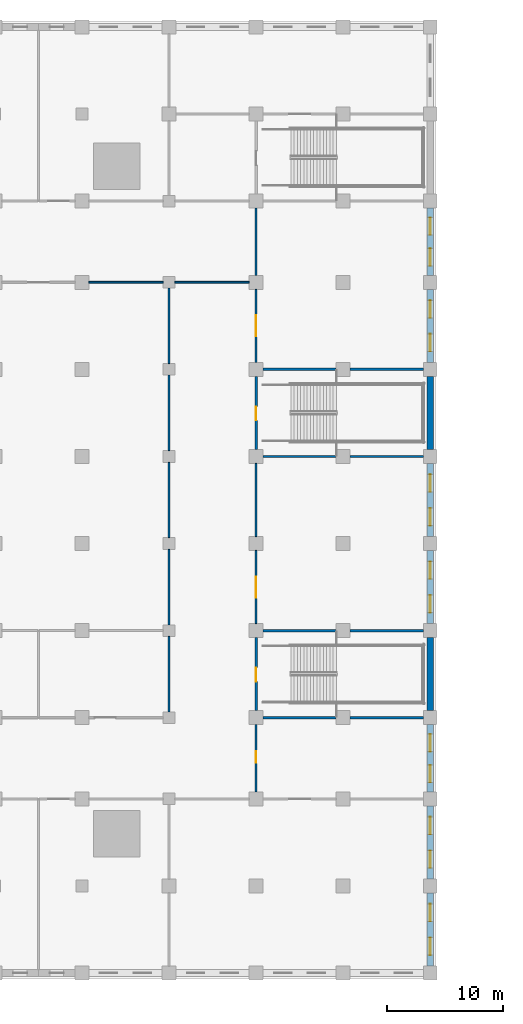
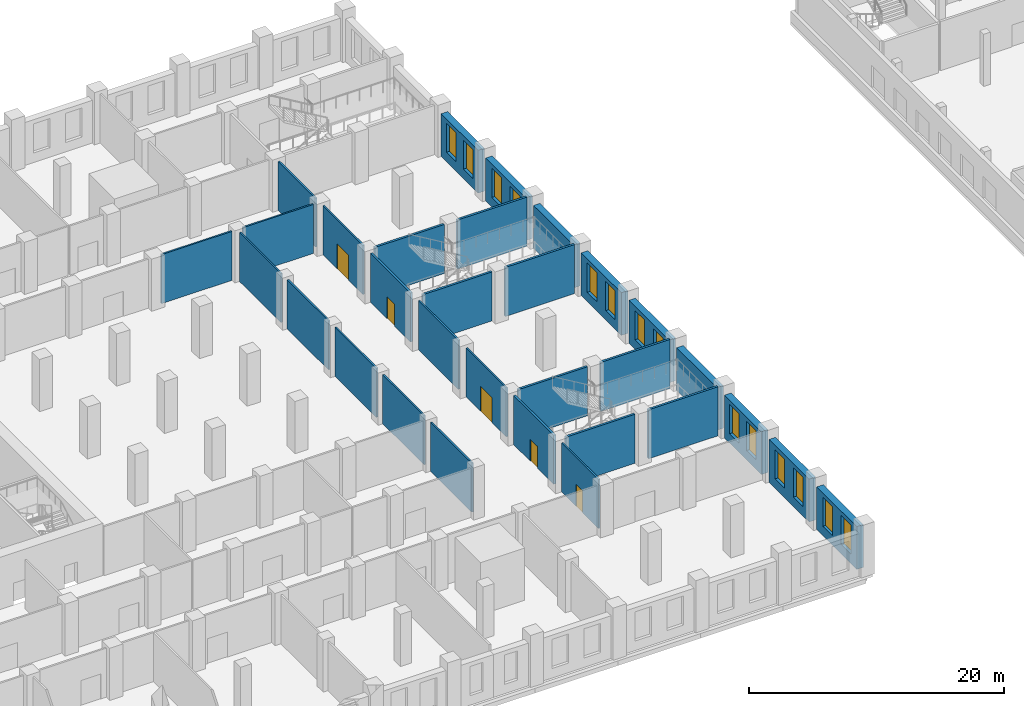
# One storey, part 8 of 32: 31 walls, 14 windows, 5 doors, 19 openings.
"""IFC4 building model written with IfcOpenShell, lengths in metres."""

from ifc_helpers import new_model, si_unit, direction, frame, frame_2d, origin, place, context, subcontext, project, spatial, rectangle, extrude, material, layer, layer_set, type_object, element, fill, save


model = new_model("IFC4")

# Units and contexts
model_context = context("Model", 3, precision=1e-05, world=origin(), true_north=direction((0.0, 1.0)))
body_context = subcontext(model_context, "Body", "Model", "MODEL_VIEW")
ifc_project = project(units=[si_unit("LENGTHUNIT", "METRE"), si_unit("AREAUNIT", "SQUARE_METRE"), si_unit("VOLUMEUNIT", "CUBIC_METRE"), si_unit("PLANEANGLEUNIT", "RADIAN"), si_unit("MASSUNIT", "GRAM", prefix="KILO")], contexts=[model_context])

# Site, building, storey
site_placement = place(None, origin())
site = spatial("IfcSite", under=ifc_project, at=site_placement, CompositionType="ELEMENT")
building_placement = place(site_placement, origin())
building = spatial("IfcBuilding", under=site, at=building_placement, Name="Tamorin Gate", CompositionType="ELEMENT")
storey_placement = place(building_placement, frame((0.0, 0.0, 18.5)))
storey = spatial("IfcBuildingStorey", under=building, at=storey_placement, Name="L03", CompositionType="ELEMENT", Elevation=18.5)

# Walls
ifc_material_1 = material(Name="Concrete masonry C20/25", Category="masonry")
ifc_layer_1 = layer(ifc_material_1, 0.14990234375)
ifc_layer_set_1 = layer_set([ifc_layer_1], Name="Partition 150")
wall_type_1 = type_object("IfcWallType", Name="Partition 150", PredefinedType="PARTITIONING", material=ifc_layer_set_1)
for number, where, z_axis, x_axis, name in (
    (1, (82.60009765625, 90.0, 0.0), (0.0, 0.0, 1.0), (1.0, 0.0, 0.0), "Partition 150 L03"),
    (2, (90.0, 90.0, 0.0), (0.0, 0.0, 1.0), (1.0, 0.0, 0.0), "Partition 150 L03"),
):
    element("IfcWall", number, at=place(storey_placement, frame(where, z_axis=z_axis, x_axis=x_axis)), inside=storey, type_object=wall_type_1, Name=name, PredefinedType="PARTITIONING", context=body_context, shape_type="SweptSolid", body=[
        extrude(rectangle(XDim=6.39990234375, YDim=0.14990234375, at=frame_2d((3.199951171875, 0.0))), origin(), (0.0, 0.0, 1.0), 4.699951171875),
    ])

# Wall, opening, door
wall_1_placement = place(storey_placement, frame((97.0, 46.10009765625, 0.0), z_axis=(0.0, 0.0, 1.0), x_axis=(0.0, 1.0, 0.0)))
wall_1 = element("IfcWall", 3, at=wall_1_placement, inside=storey, type_object=wall_type_1, Name="Partition 150 L03", PredefinedType="PARTITIONING", context=body_context, shape_type="SweptSolid", body=[
    extrude(rectangle(XDim=5.7998046875, YDim=0.14990234375, at=frame_2d((2.89990234375, 0.0))), origin(), (0.0, 0.0, 1.0), 4.699951171875),
])
opening_1_placement = place(wall_1_placement, frame((2.5, 0.0, 0.0)))
opening_1 = element("IfcOpeningElement", 4, at=opening_1_placement, cuts=wall_1, Name="Opening DP2", PredefinedType="OPENING", context=body_context, shape_type="SweptSolid", body=[
    extrude(rectangle(XDim=1.0, YDim=2.10009765625, at=frame_2d((0.5, 1.050048828125))), frame((0.0, 0.0849609375, 0.0), z_axis=(0.0, -1.0, 0.0), x_axis=(1.0, 0.0, 0.0)), (0.0, 0.0, 1.0), 0.169921875),
])
ifc_material_2 = material(Name="Painted steel", Category="steel")
door_type_1 = type_object("IfcDoorType", Name="Door single 1000", OperationType="SINGLE_SWING_LEFT", PredefinedType="DOOR", material=ifc_material_2)
door_1_placement = place(opening_1_placement, origin())
door_1 = element("IfcDoor", 5, at=door_1_placement, inside=storey, type_object=door_type_1, Name="Door single 1000 L03", OperationType="SINGLE_SWING_LEFT", OverallHeight=2.10009765625, OverallWidth=1.0, PredefinedType="DOOR", context=body_context, shape_type="SweptSolid", body=[
    extrude(rectangle(XDim=1.0, YDim=2.10009765625, at=frame_2d((0.5, 1.050048828125))), frame((0.0, 0.02490234375, 0.0), z_axis=(0.0, -1.0, 0.0), x_axis=(1.0, 0.0, 0.0)), (0.0, 0.0, 1.0), 0.050048828125),
])
fill(opening_1, door_1)

wall_2_placement = place(storey_placement, frame((97.0, 60.60009765625, 0.0), z_axis=(0.0, 0.0, 1.0), x_axis=(0.0, 1.0, 0.0)))
wall_2 = element("IfcWall", 6, at=wall_2_placement, inside=storey, type_object=wall_type_1, Name="Partition 150 L03", PredefinedType="PARTITIONING", context=body_context, shape_type="SweptSolid", body=[
    extrude(rectangle(XDim=6.2998046875, YDim=0.14990234375, at=frame_2d((3.14990234375, 0.0))), origin(), (0.0, 0.0, 1.0), 4.699951171875),
])
opening_2_placement = place(wall_2_placement, frame((2.25, 0.0, 0.0)))
opening_2 = element("IfcOpeningElement", 7, at=opening_2_placement, cuts=wall_2, Name="Opening DP3", PredefinedType="OPENING", context=body_context, shape_type="SweptSolid", body=[
    extrude(rectangle(XDim=1.800048828125, YDim=2.39990234375, at=frame_2d((0.89990234375, 1.199951171875))), frame((0.0, 0.0849609375, 0.0), z_axis=(0.0, -1.0, 0.0), x_axis=(1.0, 0.0, 0.0)), (0.0, 0.0, 1.0), 0.169921875),
])
ifc_material_3 = material(Name="Steel and glass", Category="steel")
door_type_2 = type_object("IfcDoorType", Name="Door pair 1800", OperationType="DOUBLE_DOOR_SINGLE_SWING", PredefinedType="DOOR", material=ifc_material_3)
door_2_placement = place(opening_2_placement, origin())
door_2 = element("IfcDoor", 8, at=door_2_placement, inside=storey, type_object=door_type_2, Name="Door pair 1800 L03", OperationType="SINGLE_SWING_LEFT", OverallHeight=2.39990234375, OverallWidth=1.800048828125, PredefinedType="DOOR", context=body_context, shape_type="SweptSolid", body=[
    extrude(rectangle(XDim=1.800048828125, YDim=2.39990234375, at=frame_2d((0.89990234375, 1.199951171875))), frame((0.0, 0.02490234375, 0.0), z_axis=(0.0, -1.0, 0.0), x_axis=(1.0, 0.0, 0.0)), (0.0, 0.0, 1.0), 0.050048828125),
])
fill(opening_2, door_2)

# Wall
wall_3_placement = place(storey_placement, frame((97.0, 68.10009765625, 0.0), z_axis=(0.0, 0.0, 1.0), x_axis=(0.0, 1.0, 0.0)))
element("IfcWall", 9, at=wall_3_placement, inside=storey, type_object=wall_type_1, Name="Partition 150 L03", PredefinedType="PARTITIONING", context=body_context, shape_type="SweptSolid", body=[
    extrude(rectangle(XDim=6.2998046875, YDim=0.14990234375, at=frame_2d((3.14990234375, 0.0))), origin(), (0.0, 0.0, 1.0), 4.699951171875),
])

# Wall, opening, door
wall_4_placement = place(storey_placement, frame((97.0, 83.10009765625, 0.0), z_axis=(0.0, 0.0, 1.0), x_axis=(0.0, 1.0, 0.0)))
wall_4 = element("IfcWall", 10, at=wall_4_placement, inside=storey, type_object=wall_type_1, Name="Partition 150 L03", PredefinedType="PARTITIONING", context=body_context, shape_type="SweptSolid", body=[
    extrude(rectangle(XDim=6.2998046875, YDim=0.14990234375, at=frame_2d((3.14990234375, 0.0))), origin(), (0.0, 0.0, 1.0), 4.699951171875),
])
opening_3_placement = place(wall_4_placement, frame((2.25, 0.0, 0.0)))
opening_3 = element("IfcOpeningElement", 11, at=opening_3_placement, cuts=wall_4, Name="Opening DP3", PredefinedType="OPENING", context=body_context, shape_type="SweptSolid", body=[
    extrude(rectangle(XDim=1.800048828125, YDim=2.39990234375, at=frame_2d((0.89990234375, 1.199951171875))), frame((0.0, 0.0849609375, 0.0), z_axis=(0.0, -1.0, 0.0), x_axis=(1.0, 0.0, 0.0)), (0.0, 0.0, 1.0), 0.169921875),
])
door_3_placement = place(opening_3_placement, origin())
door_3 = element("IfcDoor", 12, at=door_3_placement, inside=storey, type_object=door_type_2, Name="Door pair 1800 L03", OperationType="SINGLE_SWING_LEFT", OverallHeight=2.39990234375, OverallWidth=1.800048828125, PredefinedType="DOOR", context=body_context, shape_type="SweptSolid", body=[
    extrude(rectangle(XDim=1.800048828125, YDim=2.39990234375, at=frame_2d((0.89990234375, 1.199951171875))), frame((0.0, 0.02490234375, 0.0), z_axis=(0.0, -1.0, 0.0), x_axis=(1.0, 0.0, 0.0)), (0.0, 0.0, 1.0), 0.050048828125),
])
fill(opening_3, door_3)

# Walls
wall_5_placement = place(storey_placement, frame((97.0, 90.60009765625, 0.0), z_axis=(0.0, 0.0, 1.0), x_axis=(0.0, 1.0, 0.0)))
element("IfcWall", 13, at=wall_5_placement, inside=storey, type_object=wall_type_1, Name="Partition 150 L03", PredefinedType="PARTITIONING", context=body_context, shape_type="SweptSolid", body=[
    extrude(rectangle(XDim=5.7998046875, YDim=0.14990234375, at=frame_2d((2.89990234375, 0.0))), origin(), (0.0, 0.0, 1.0), 4.699951171875),
])
for number, where, z_axis, x_axis, name in (
    (14, (89.5, 53.0, 0.0), (0.0, 0.0, 1.0), (0.0, 1.0, 0.0), "Partition 150 L03"),
    (15, (89.5, 60.5, 0.0), (0.0, 0.0, 1.0), (0.0, 1.0, 0.0), "Partition 150 L03"),
    (16, (89.5, 68.0, 0.0), (0.0, 0.0, 1.0), (0.0, 1.0, 0.0), "Partition 150 L03"),
    (17, (89.5, 75.5, 0.0), (0.0, 0.0, 1.0), (0.0, 1.0, 0.0), "Partition 150 L03"),
    (18, (89.5, 83.0, 0.0), (0.0, 0.0, 1.0), (0.0, 1.0, 0.0), "Partition 150 L03"),
):
    element("IfcWall", number, at=place(storey_placement, frame(where, z_axis=z_axis, x_axis=x_axis)), inside=storey, type_object=wall_type_1, Name=name, PredefinedType="PARTITIONING", context=body_context, shape_type="SweptSolid", body=[
        extrude(rectangle(XDim=6.5, YDim=0.14990234375, at=frame_2d((3.25, 0.0))), origin(), (0.0, 0.0, 1.0), 4.699951171875),
    ])

# Wall, openings, windows
ifc_material_4 = material(Name="Precast concrete C40/50", Category="concrete")
ifc_layer_2 = layer(ifc_material_4, 0.60009765625)
ifc_layer_set_2 = layer_set([ifc_layer_2], Name="Precast concrete C40/50")
wall_type_2 = type_object("IfcWallType", Name="Precast plinth wall 600", PredefinedType="PARTITIONING", material=ifc_layer_set_2)
wall_6_placement = place(storey_placement, frame((112.0, 31.10009765625, 0.0), z_axis=(0.0, 0.0, 1.0), x_axis=(0.0, 1.0, 0.0)))
wall_6 = element("IfcWall", 19, at=wall_6_placement, inside=storey, type_object=wall_type_2, Name="Precast plinth wall 600 L03", PredefinedType="PARTITIONING", context=body_context, shape_type="SweptSolid", body=[
    extrude(rectangle(XDim=6.2998046875, YDim=0.60009765625, at=frame_2d((3.14990234375, 0.0))), origin(), (0.0, 0.0, 1.0), 4.10009765625),
])
opening_4_placement = place(wall_6_placement, frame((0.950927734375, 0.0, 0.89990234375)))
opening_4 = element("IfcOpeningElement", 20, at=opening_4_placement, cuts=wall_6, Name="Opening PWN5", PredefinedType="OPENING", context=body_context, shape_type="SweptSolid", body=[
    extrude(rectangle(XDim=1.5, YDim=2.800048828125, at=frame_2d((0.75, 1.39990234375))), frame((0.0, 0.31005859375, 0.0), z_axis=(0.0, -1.0, 0.0), x_axis=(1.0, 0.0, 0.0)), (0.0, 0.0, 1.0), 0.6201171875),
])
opening_5_placement = place(wall_6_placement, frame((3.84912109375, 0.0, 0.89990234375)))
opening_5 = element("IfcOpeningElement", 21, at=opening_5_placement, cuts=wall_6, Name="Opening PWN5", PredefinedType="OPENING", context=body_context, shape_type="SweptSolid", body=[
    extrude(rectangle(XDim=1.5, YDim=2.800048828125, at=frame_2d((0.75, 1.39990234375))), frame((0.0, 0.31005859375, 0.0), z_axis=(0.0, -1.0, 0.0), x_axis=(1.0, 0.0, 0.0)), (0.0, 0.0, 1.0), 0.6201171875),
])
ifc_material_5 = material(Name="Aluminium and glass", Category="aluminium")
window_type = type_object("IfcWindowType", Name="Plinth window 1500x2800", PartitioningType="DOUBLE_PANEL_VERTICAL", PredefinedType="WINDOW", material=ifc_material_5)
window_1_placement = place(opening_4_placement, origin())
window_1 = element("IfcWindow", 22, at=window_1_placement, inside=storey, type_object=window_type, Name="Plinth window 1500x2800", OverallHeight=2.800048828125, OverallWidth=1.5, PartitioningType="SINGLE_PANEL", PredefinedType="WINDOW", context=body_context, shape_type="SweptSolid", body=[
    extrude(rectangle(XDim=1.5, YDim=2.800048828125, at=frame_2d((0.75, 1.39990234375))), frame((0.0, 0.030029296875, 0.0), z_axis=(0.0, -1.0, 0.0), x_axis=(1.0, 0.0, 0.0)), (0.0, 0.0, 1.0), 0.06005859375),
])
fill(opening_4, window_1)
window_2_placement = place(opening_5_placement, origin())
window_2 = element("IfcWindow", 23, at=window_2_placement, inside=storey, type_object=window_type, Name="Plinth window 1500x2800", OverallHeight=2.800048828125, OverallWidth=1.5, PartitioningType="SINGLE_PANEL", PredefinedType="WINDOW", context=body_context, shape_type="SweptSolid", body=[
    extrude(rectangle(XDim=1.5, YDim=2.800048828125, at=frame_2d((0.75, 1.39990234375))), frame((0.0, 0.030029296875, 0.0), z_axis=(0.0, -1.0, 0.0), x_axis=(1.0, 0.0, 0.0)), (0.0, 0.0, 1.0), 0.06005859375),
])
fill(opening_5, window_2)

wall_7_placement = place(storey_placement, frame((112.0, 38.60009765625, 0.0), z_axis=(0.0, 0.0, 1.0), x_axis=(0.0, 1.0, 0.0)))
wall_7 = element("IfcWall", 24, at=wall_7_placement, inside=storey, type_object=wall_type_2, Name="Precast plinth wall 600 L03", PredefinedType="PARTITIONING", context=body_context, shape_type="SweptSolid", body=[
    extrude(rectangle(XDim=6.2998046875, YDim=0.60009765625, at=frame_2d((3.14990234375, 0.0))), origin(), (0.0, 0.0, 1.0), 4.10009765625),
])
opening_6_placement = place(wall_7_placement, frame((0.950927734375, 0.0, 0.89990234375)))
opening_6 = element("IfcOpeningElement", 25, at=opening_6_placement, cuts=wall_7, Name="Opening PWN5", PredefinedType="OPENING", context=body_context, shape_type="SweptSolid", body=[
    extrude(rectangle(XDim=1.5, YDim=2.800048828125, at=frame_2d((0.75, 1.39990234375))), frame((0.0, 0.31005859375, 0.0), z_axis=(0.0, -1.0, 0.0), x_axis=(1.0, 0.0, 0.0)), (0.0, 0.0, 1.0), 0.6201171875),
])
opening_7_placement = place(wall_7_placement, frame((3.84912109375, 0.0, 0.89990234375)))
opening_7 = element("IfcOpeningElement", 26, at=opening_7_placement, cuts=wall_7, Name="Opening PWN5", PredefinedType="OPENING", context=body_context, shape_type="SweptSolid", body=[
    extrude(rectangle(XDim=1.5, YDim=2.800048828125, at=frame_2d((0.75, 1.39990234375))), frame((0.0, 0.31005859375, 0.0), z_axis=(0.0, -1.0, 0.0), x_axis=(1.0, 0.0, 0.0)), (0.0, 0.0, 1.0), 0.6201171875),
])
window_3_placement = place(opening_6_placement, origin())
window_3 = element("IfcWindow", 27, at=window_3_placement, inside=storey, type_object=window_type, Name="Plinth window 1500x2800", OverallHeight=2.800048828125, OverallWidth=1.5, PartitioningType="SINGLE_PANEL", PredefinedType="WINDOW", context=body_context, shape_type="SweptSolid", body=[
    extrude(rectangle(XDim=1.5, YDim=2.800048828125, at=frame_2d((0.75, 1.39990234375))), frame((0.0, 0.030029296875, 0.0), z_axis=(0.0, -1.0, 0.0), x_axis=(1.0, 0.0, 0.0)), (0.0, 0.0, 1.0), 0.06005859375),
])
fill(opening_6, window_3)
window_4_placement = place(opening_7_placement, origin())
window_4 = element("IfcWindow", 28, at=window_4_placement, inside=storey, type_object=window_type, Name="Plinth window 1500x2800", OverallHeight=2.800048828125, OverallWidth=1.5, PartitioningType="SINGLE_PANEL", PredefinedType="WINDOW", context=body_context, shape_type="SweptSolid", body=[
    extrude(rectangle(XDim=1.5, YDim=2.800048828125, at=frame_2d((0.75, 1.39990234375))), frame((0.0, 0.030029296875, 0.0), z_axis=(0.0, -1.0, 0.0), x_axis=(1.0, 0.0, 0.0)), (0.0, 0.0, 1.0), 0.06005859375),
])
fill(opening_7, window_4)

wall_8_placement = place(storey_placement, frame((112.0, 46.10009765625, 0.0), z_axis=(0.0, 0.0, 1.0), x_axis=(0.0, 1.0, 0.0)))
wall_8 = element("IfcWall", 29, at=wall_8_placement, inside=storey, type_object=wall_type_2, Name="Precast plinth wall 600 L03", PredefinedType="PARTITIONING", context=body_context, shape_type="SweptSolid", body=[
    extrude(rectangle(XDim=5.7998046875, YDim=0.60009765625, at=frame_2d((2.89990234375, 0.0))), origin(), (0.0, 0.0, 1.0), 4.10009765625),
])
opening_8_placement = place(wall_8_placement, frame((0.81591796875, 0.0, 0.89990234375)))
opening_8 = element("IfcOpeningElement", 30, at=opening_8_placement, cuts=wall_8, Name="Opening PWN5", PredefinedType="OPENING", context=body_context, shape_type="SweptSolid", body=[
    extrude(rectangle(XDim=1.5, YDim=2.800048828125, at=frame_2d((0.75, 1.39990234375))), frame((0.0, 0.31005859375, 0.0), z_axis=(0.0, -1.0, 0.0), x_axis=(1.0, 0.0, 0.0)), (0.0, 0.0, 1.0), 0.6201171875),
])
opening_9_placement = place(wall_8_placement, frame((3.48388671875, 0.0, 0.89990234375)))
opening_9 = element("IfcOpeningElement", 31, at=opening_9_placement, cuts=wall_8, Name="Opening PWN5", PredefinedType="OPENING", context=body_context, shape_type="SweptSolid", body=[
    extrude(rectangle(XDim=1.5, YDim=2.800048828125, at=frame_2d((0.75, 1.39990234375))), frame((0.0, 0.31005859375, 0.0), z_axis=(0.0, -1.0, 0.0), x_axis=(1.0, 0.0, 0.0)), (0.0, 0.0, 1.0), 0.6201171875),
])
window_5_placement = place(opening_8_placement, origin())
window_5 = element("IfcWindow", 32, at=window_5_placement, inside=storey, type_object=window_type, Name="Plinth window 1500x2800", OverallHeight=2.800048828125, OverallWidth=1.5, PartitioningType="SINGLE_PANEL", PredefinedType="WINDOW", context=body_context, shape_type="SweptSolid", body=[
    extrude(rectangle(XDim=1.5, YDim=2.800048828125, at=frame_2d((0.75, 1.39990234375))), frame((0.0, 0.030029296875, 0.0), z_axis=(0.0, -1.0, 0.0), x_axis=(1.0, 0.0, 0.0)), (0.0, 0.0, 1.0), 0.06005859375),
])
fill(opening_8, window_5)
window_6_placement = place(opening_9_placement, origin())
window_6 = element("IfcWindow", 33, at=window_6_placement, inside=storey, type_object=window_type, Name="Plinth window 1500x2800", OverallHeight=2.800048828125, OverallWidth=1.5, PartitioningType="SINGLE_PANEL", PredefinedType="WINDOW", context=body_context, shape_type="SweptSolid", body=[
    extrude(rectangle(XDim=1.5, YDim=2.800048828125, at=frame_2d((0.75, 1.39990234375))), frame((0.0, 0.030029296875, 0.0), z_axis=(0.0, -1.0, 0.0), x_axis=(1.0, 0.0, 0.0)), (0.0, 0.0, 1.0), 0.06005859375),
])
fill(opening_9, window_6)

# Wall
wall_9_placement = place(storey_placement, frame((112.0, 53.10009765625, 0.0), z_axis=(0.0, 0.0, 1.0), x_axis=(0.0, 1.0, 0.0)))
element("IfcWall", 34, at=wall_9_placement, inside=storey, type_object=wall_type_2, Name="Precast plinth wall 600 L03", PredefinedType="PARTITIONING", context=body_context, shape_type="SweptSolid", body=[
    extrude(rectangle(XDim=6.2998046875, YDim=0.60009765625, at=frame_2d((3.14990234375, 0.0))), origin(), (0.0, 0.0, 1.0), 4.10009765625),
])

# Wall, openings, windows
wall_10_placement = place(storey_placement, frame((112.0, 60.60009765625, 0.0), z_axis=(0.0, 0.0, 1.0), x_axis=(0.0, 1.0, 0.0)))
wall_10 = element("IfcWall", 35, at=wall_10_placement, inside=storey, type_object=wall_type_2, Name="Precast plinth wall 600 L03", PredefinedType="PARTITIONING", context=body_context, shape_type="SweptSolid", body=[
    extrude(rectangle(XDim=6.2998046875, YDim=0.60009765625, at=frame_2d((3.14990234375, 0.0))), origin(), (0.0, 0.0, 1.0), 4.10009765625),
])
opening_10_placement = place(wall_10_placement, frame((0.950927734375, 0.0, 0.89990234375)))
opening_10 = element("IfcOpeningElement", 36, at=opening_10_placement, cuts=wall_10, Name="Opening PWN5", PredefinedType="OPENING", context=body_context, shape_type="SweptSolid", body=[
    extrude(rectangle(XDim=1.5, YDim=2.800048828125, at=frame_2d((0.75, 1.39990234375))), frame((0.0, 0.31005859375, 0.0), z_axis=(0.0, -1.0, 0.0), x_axis=(1.0, 0.0, 0.0)), (0.0, 0.0, 1.0), 0.6201171875),
])
opening_11_placement = place(wall_10_placement, frame((3.84912109375, 0.0, 0.89990234375)))
opening_11 = element("IfcOpeningElement", 37, at=opening_11_placement, cuts=wall_10, Name="Opening PWN5", PredefinedType="OPENING", context=body_context, shape_type="SweptSolid", body=[
    extrude(rectangle(XDim=1.5, YDim=2.800048828125, at=frame_2d((0.75, 1.39990234375))), frame((0.0, 0.31005859375, 0.0), z_axis=(0.0, -1.0, 0.0), x_axis=(1.0, 0.0, 0.0)), (0.0, 0.0, 1.0), 0.6201171875),
])
window_7_placement = place(opening_10_placement, origin())
window_7 = element("IfcWindow", 38, at=window_7_placement, inside=storey, type_object=window_type, Name="Plinth window 1500x2800", OverallHeight=2.800048828125, OverallWidth=1.5, PartitioningType="SINGLE_PANEL", PredefinedType="WINDOW", context=body_context, shape_type="SweptSolid", body=[
    extrude(rectangle(XDim=1.5, YDim=2.800048828125, at=frame_2d((0.75, 1.39990234375))), frame((0.0, 0.030029296875, 0.0), z_axis=(0.0, -1.0, 0.0), x_axis=(1.0, 0.0, 0.0)), (0.0, 0.0, 1.0), 0.06005859375),
])
fill(opening_10, window_7)
window_8_placement = place(opening_11_placement, origin())
window_8 = element("IfcWindow", 39, at=window_8_placement, inside=storey, type_object=window_type, Name="Plinth window 1500x2800", OverallHeight=2.800048828125, OverallWidth=1.5, PartitioningType="SINGLE_PANEL", PredefinedType="WINDOW", context=body_context, shape_type="SweptSolid", body=[
    extrude(rectangle(XDim=1.5, YDim=2.800048828125, at=frame_2d((0.75, 1.39990234375))), frame((0.0, 0.030029296875, 0.0), z_axis=(0.0, -1.0, 0.0), x_axis=(1.0, 0.0, 0.0)), (0.0, 0.0, 1.0), 0.06005859375),
])
fill(opening_11, window_8)

wall_11_placement = place(storey_placement, frame((112.0, 68.10009765625, 0.0), z_axis=(0.0, 0.0, 1.0), x_axis=(0.0, 1.0, 0.0)))
wall_11 = element("IfcWall", 40, at=wall_11_placement, inside=storey, type_object=wall_type_2, Name="Precast plinth wall 600 L03", PredefinedType="PARTITIONING", context=body_context, shape_type="SweptSolid", body=[
    extrude(rectangle(XDim=6.2998046875, YDim=0.60009765625, at=frame_2d((3.14990234375, 0.0))), origin(), (0.0, 0.0, 1.0), 4.10009765625),
])
opening_12_placement = place(wall_11_placement, frame((0.950927734375, 0.0, 0.89990234375)))
opening_12 = element("IfcOpeningElement", 41, at=opening_12_placement, cuts=wall_11, Name="Opening PWN5", PredefinedType="OPENING", context=body_context, shape_type="SweptSolid", body=[
    extrude(rectangle(XDim=1.5, YDim=2.800048828125, at=frame_2d((0.75, 1.39990234375))), frame((0.0, 0.31005859375, 0.0), z_axis=(0.0, -1.0, 0.0), x_axis=(1.0, 0.0, 0.0)), (0.0, 0.0, 1.0), 0.6201171875),
])
opening_13_placement = place(wall_11_placement, frame((3.84912109375, 0.0, 0.89990234375)))
opening_13 = element("IfcOpeningElement", 42, at=opening_13_placement, cuts=wall_11, Name="Opening PWN5", PredefinedType="OPENING", context=body_context, shape_type="SweptSolid", body=[
    extrude(rectangle(XDim=1.5, YDim=2.800048828125, at=frame_2d((0.75, 1.39990234375))), frame((0.0, 0.31005859375, 0.0), z_axis=(0.0, -1.0, 0.0), x_axis=(1.0, 0.0, 0.0)), (0.0, 0.0, 1.0), 0.6201171875),
])
window_9_placement = place(opening_12_placement, origin())
window_9 = element("IfcWindow", 43, at=window_9_placement, inside=storey, type_object=window_type, Name="Plinth window 1500x2800", OverallHeight=2.800048828125, OverallWidth=1.5, PartitioningType="SINGLE_PANEL", PredefinedType="WINDOW", context=body_context, shape_type="SweptSolid", body=[
    extrude(rectangle(XDim=1.5, YDim=2.800048828125, at=frame_2d((0.75, 1.39990234375))), frame((0.0, 0.030029296875, 0.0), z_axis=(0.0, -1.0, 0.0), x_axis=(1.0, 0.0, 0.0)), (0.0, 0.0, 1.0), 0.06005859375),
])
fill(opening_12, window_9)
window_10_placement = place(opening_13_placement, origin())
window_10 = element("IfcWindow", 44, at=window_10_placement, inside=storey, type_object=window_type, Name="Plinth window 1500x2800", OverallHeight=2.800048828125, OverallWidth=1.5, PartitioningType="SINGLE_PANEL", PredefinedType="WINDOW", context=body_context, shape_type="SweptSolid", body=[
    extrude(rectangle(XDim=1.5, YDim=2.800048828125, at=frame_2d((0.75, 1.39990234375))), frame((0.0, 0.030029296875, 0.0), z_axis=(0.0, -1.0, 0.0), x_axis=(1.0, 0.0, 0.0)), (0.0, 0.0, 1.0), 0.06005859375),
])
fill(opening_13, window_10)

# Wall
wall_12_placement = place(storey_placement, frame((112.0, 75.60009765625, 0.0), z_axis=(0.0, 0.0, 1.0), x_axis=(0.0, 1.0, 0.0)))
element("IfcWall", 45, at=wall_12_placement, inside=storey, type_object=wall_type_2, Name="Precast plinth wall 600 L03", PredefinedType="PARTITIONING", context=body_context, shape_type="SweptSolid", body=[
    extrude(rectangle(XDim=6.2998046875, YDim=0.60009765625, at=frame_2d((3.14990234375, 0.0))), origin(), (0.0, 0.0, 1.0), 4.10009765625),
])

# Wall, openings, windows
wall_13_placement = place(storey_placement, frame((112.0, 83.10009765625, 0.0), z_axis=(0.0, 0.0, 1.0), x_axis=(0.0, 1.0, 0.0)))
wall_13 = element("IfcWall", 46, at=wall_13_placement, inside=storey, type_object=wall_type_2, Name="Precast plinth wall 600 L03", PredefinedType="PARTITIONING", context=body_context, shape_type="SweptSolid", body=[
    extrude(rectangle(XDim=6.2998046875, YDim=0.60009765625, at=frame_2d((3.14990234375, 0.0))), origin(), (0.0, 0.0, 1.0), 4.10009765625),
])
opening_14_placement = place(wall_13_placement, frame((0.950927734375, 0.0, 0.89990234375)))
opening_14 = element("IfcOpeningElement", 47, at=opening_14_placement, cuts=wall_13, Name="Opening PWN5", PredefinedType="OPENING", context=body_context, shape_type="SweptSolid", body=[
    extrude(rectangle(XDim=1.5, YDim=2.800048828125, at=frame_2d((0.75, 1.39990234375))), frame((0.0, 0.31005859375, 0.0), z_axis=(0.0, -1.0, 0.0), x_axis=(1.0, 0.0, 0.0)), (0.0, 0.0, 1.0), 0.6201171875),
])
opening_15_placement = place(wall_13_placement, frame((3.84912109375, 0.0, 0.89990234375)))
opening_15 = element("IfcOpeningElement", 48, at=opening_15_placement, cuts=wall_13, Name="Opening PWN5", PredefinedType="OPENING", context=body_context, shape_type="SweptSolid", body=[
    extrude(rectangle(XDim=1.5, YDim=2.800048828125, at=frame_2d((0.75, 1.39990234375))), frame((0.0, 0.31005859375, 0.0), z_axis=(0.0, -1.0, 0.0), x_axis=(1.0, 0.0, 0.0)), (0.0, 0.0, 1.0), 0.6201171875),
])
window_11_placement = place(opening_14_placement, origin())
window_11 = element("IfcWindow", 49, at=window_11_placement, inside=storey, type_object=window_type, Name="Plinth window 1500x2800", OverallHeight=2.800048828125, OverallWidth=1.5, PartitioningType="SINGLE_PANEL", PredefinedType="WINDOW", context=body_context, shape_type="SweptSolid", body=[
    extrude(rectangle(XDim=1.5, YDim=2.800048828125, at=frame_2d((0.75, 1.39990234375))), frame((0.0, 0.030029296875, 0.0), z_axis=(0.0, -1.0, 0.0), x_axis=(1.0, 0.0, 0.0)), (0.0, 0.0, 1.0), 0.06005859375),
])
fill(opening_14, window_11)
window_12_placement = place(opening_15_placement, origin())
window_12 = element("IfcWindow", 50, at=window_12_placement, inside=storey, type_object=window_type, Name="Plinth window 1500x2800", OverallHeight=2.800048828125, OverallWidth=1.5, PartitioningType="SINGLE_PANEL", PredefinedType="WINDOW", context=body_context, shape_type="SweptSolid", body=[
    extrude(rectangle(XDim=1.5, YDim=2.800048828125, at=frame_2d((0.75, 1.39990234375))), frame((0.0, 0.030029296875, 0.0), z_axis=(0.0, -1.0, 0.0), x_axis=(1.0, 0.0, 0.0)), (0.0, 0.0, 1.0), 0.06005859375),
])
fill(opening_15, window_12)

wall_14_placement = place(storey_placement, frame((112.0, 90.60009765625, 0.0), z_axis=(0.0, 0.0, 1.0), x_axis=(0.0, 1.0, 0.0)))
wall_14 = element("IfcWall", 51, at=wall_14_placement, inside=storey, type_object=wall_type_2, Name="Precast plinth wall 600 L03", PredefinedType="PARTITIONING", context=body_context, shape_type="SweptSolid", body=[
    extrude(rectangle(XDim=5.7998046875, YDim=0.60009765625, at=frame_2d((2.89990234375, 0.0))), origin(), (0.0, 0.0, 1.0), 4.10009765625),
])
opening_16_placement = place(wall_14_placement, frame((0.81591796875, 0.0, 0.89990234375)))
opening_16 = element("IfcOpeningElement", 52, at=opening_16_placement, cuts=wall_14, Name="Opening PWN5", PredefinedType="OPENING", context=body_context, shape_type="SweptSolid", body=[
    extrude(rectangle(XDim=1.5, YDim=2.800048828125, at=frame_2d((0.75, 1.39990234375))), frame((0.0, 0.31005859375, 0.0), z_axis=(0.0, -1.0, 0.0), x_axis=(1.0, 0.0, 0.0)), (0.0, 0.0, 1.0), 0.6201171875),
])
opening_17_placement = place(wall_14_placement, frame((3.48388671875, 0.0, 0.89990234375)))
opening_17 = element("IfcOpeningElement", 53, at=opening_17_placement, cuts=wall_14, Name="Opening PWN5", PredefinedType="OPENING", context=body_context, shape_type="SweptSolid", body=[
    extrude(rectangle(XDim=1.5, YDim=2.800048828125, at=frame_2d((0.75, 1.39990234375))), frame((0.0, 0.31005859375, 0.0), z_axis=(0.0, -1.0, 0.0), x_axis=(1.0, 0.0, 0.0)), (0.0, 0.0, 1.0), 0.6201171875),
])
window_13_placement = place(opening_16_placement, origin())
window_13 = element("IfcWindow", 54, at=window_13_placement, inside=storey, type_object=window_type, Name="Plinth window 1500x2800", OverallHeight=2.800048828125, OverallWidth=1.5, PartitioningType="SINGLE_PANEL", PredefinedType="WINDOW", context=body_context, shape_type="SweptSolid", body=[
    extrude(rectangle(XDim=1.5, YDim=2.800048828125, at=frame_2d((0.75, 1.39990234375))), frame((0.0, 0.030029296875, 0.0), z_axis=(0.0, -1.0, 0.0), x_axis=(1.0, 0.0, 0.0)), (0.0, 0.0, 1.0), 0.06005859375),
])
fill(opening_16, window_13)
window_14_placement = place(opening_17_placement, origin())
window_14 = element("IfcWindow", 55, at=window_14_placement, inside=storey, type_object=window_type, Name="Plinth window 1500x2800", OverallHeight=2.800048828125, OverallWidth=1.5, PartitioningType="SINGLE_PANEL", PredefinedType="WINDOW", context=body_context, shape_type="SweptSolid", body=[
    extrude(rectangle(XDim=1.5, YDim=2.800048828125, at=frame_2d((0.75, 1.39990234375))), frame((0.0, 0.030029296875, 0.0), z_axis=(0.0, -1.0, 0.0), x_axis=(1.0, 0.0, 0.0)), (0.0, 0.0, 1.0), 0.06005859375),
])
fill(opening_17, window_14)

# Walls
ifc_material_6 = material(Name="Concrete C40/50", Category="concrete")
ifc_layer_3 = layer(ifc_material_6, 0.199951171875)
ifc_layer_set_3 = layer_set([ifc_layer_3], Name="Stair enclosure 200")
wall_type_3 = type_object("IfcWallType", Name="Stair enclosure 200", PredefinedType="SHEAR", material=ifc_layer_set_3)
for number, where, z_axis, x_axis, name in (
    (56, (97.60009765625, 52.5, 0.0), (0.0, 0.0, 1.0), (1.0, 0.0, 0.0), "Stair enclosure 200 L03"),
    (57, (105.10009765625, 52.5, 0.0), (0.0, 0.0, 1.0), (1.0, 0.0, 0.0), "Stair enclosure 200 L03"),
    (58, (97.60009765625, 60.0, 0.0), (0.0, 0.0, 1.0), (1.0, 0.0, 0.0), "Stair enclosure 200 L03"),
    (59, (105.10009765625, 60.0, 0.0), (0.0, 0.0, 1.0), (1.0, 0.0, 0.0), "Stair enclosure 200 L03"),
    (60, (97.60009765625, 75.0, 0.0), (0.0, 0.0, 1.0), (1.0, 0.0, 0.0), "Stair enclosure 200 L03"),
    (61, (105.10009765625, 75.0, 0.0), (0.0, 0.0, 1.0), (1.0, 0.0, 0.0), "Stair enclosure 200 L03"),
    (62, (97.60009765625, 82.5, 0.0), (0.0, 0.0, 1.0), (1.0, 0.0, 0.0), "Stair enclosure 200 L03"),
    (63, (105.10009765625, 82.5, 0.0), (0.0, 0.0, 1.0), (1.0, 0.0, 0.0), "Stair enclosure 200 L03"),
):
    element("IfcWall", number, at=place(storey_placement, frame(where, z_axis=z_axis, x_axis=x_axis)), inside=storey, type_object=wall_type_3, Name=name, PredefinedType="SHEAR", context=body_context, shape_type="SweptSolid", body=[
        extrude(rectangle(XDim=6.2998046875, YDim=0.199951171875, at=frame_2d((3.14990234375, 0.0))), origin(), (0.0, 0.0, 1.0), 4.699951171875),
    ])

# Wall, opening, door
wall_15_placement = place(storey_placement, frame((97.0, 59.39990234375, 0.0), z_axis=(0.0, 0.0, 1.0), x_axis=(0.0, -1.0, 0.0)))
wall_15 = element("IfcWall", 64, at=wall_15_placement, inside=storey, type_object=wall_type_3, Name="Stair enclosure 200 L03", PredefinedType="SHEAR", context=body_context, shape_type="SweptSolid", body=[
    extrude(rectangle(XDim=6.2998046875, YDim=0.199951171875, at=frame_2d((3.14990234375, 0.0))), origin(), (0.0, 0.0, 1.0), 4.699951171875),
])
opening_18_placement = place(wall_15_placement, frame((2.60009765625, 0.0, 0.0)))
opening_18 = element("IfcOpeningElement", 65, at=opening_18_placement, cuts=wall_15, Name="Opening DP5", PredefinedType="OPENING", context=body_context, shape_type="SweptSolid", body=[
    extrude(rectangle(XDim=1.199951171875, YDim=2.10009765625, at=frame_2d((0.60009765625, 1.050048828125))), frame((0.0, 0.10986328125, 0.0), z_axis=(0.0, -1.0, 0.0), x_axis=(1.0, 0.0, 0.0)), (0.0, 0.0, 1.0), 0.219970703125),
])
door_type_3 = type_object("IfcDoorType", Name="Stair door 1200", OperationType="SINGLE_SWING_LEFT", PredefinedType="DOOR", material=ifc_material_2)
door_4_placement = place(opening_18_placement, origin())
door_4 = element("IfcDoor", 66, at=door_4_placement, inside=storey, type_object=door_type_3, Name="Stair door 1200 L03", OperationType="SINGLE_SWING_LEFT", OverallHeight=2.10009765625, OverallWidth=1.199951171875, PredefinedType="DOOR", context=body_context, shape_type="SweptSolid", body=[
    extrude(rectangle(XDim=1.199951171875, YDim=2.10009765625, at=frame_2d((0.60009765625, 1.050048828125))), frame((0.0, 0.02490234375, 0.0), z_axis=(0.0, -1.0, 0.0), x_axis=(1.0, 0.0, 0.0)), (0.0, 0.0, 1.0), 0.050048828125),
])
fill(opening_18, door_4)

wall_16_placement = place(storey_placement, frame((97.0, 81.89990234375, 0.0), z_axis=(0.0, 0.0, 1.0), x_axis=(0.0, -1.0, 0.0)))
wall_16 = element("IfcWall", 67, at=wall_16_placement, inside=storey, type_object=wall_type_3, Name="Stair enclosure 200 L03", PredefinedType="SHEAR", context=body_context, shape_type="SweptSolid", body=[
    extrude(rectangle(XDim=6.2998046875, YDim=0.199951171875, at=frame_2d((3.14990234375, 0.0))), origin(), (0.0, 0.0, 1.0), 4.699951171875),
])
opening_19_placement = place(wall_16_placement, frame((2.60009765625, 0.0, 0.0)))
opening_19 = element("IfcOpeningElement", 68, at=opening_19_placement, cuts=wall_16, Name="Opening DP5", PredefinedType="OPENING", context=body_context, shape_type="SweptSolid", body=[
    extrude(rectangle(XDim=1.199951171875, YDim=2.10009765625, at=frame_2d((0.60009765625, 1.050048828125))), frame((0.0, 0.10986328125, 0.0), z_axis=(0.0, -1.0, 0.0), x_axis=(1.0, 0.0, 0.0)), (0.0, 0.0, 1.0), 0.219970703125),
])
door_5_placement = place(opening_19_placement, origin())
door_5 = element("IfcDoor", 69, at=door_5_placement, inside=storey, type_object=door_type_3, Name="Stair door 1200 L03", OperationType="SINGLE_SWING_LEFT", OverallHeight=2.10009765625, OverallWidth=1.199951171875, PredefinedType="DOOR", context=body_context, shape_type="SweptSolid", body=[
    extrude(rectangle(XDim=1.199951171875, YDim=2.10009765625, at=frame_2d((0.60009765625, 1.050048828125))), frame((0.0, 0.02490234375, 0.0), z_axis=(0.0, -1.0, 0.0), x_axis=(1.0, 0.0, 0.0)), (0.0, 0.0, 1.0), 0.050048828125),
])
fill(opening_19, door_5)

save(model, "model.ifc")
